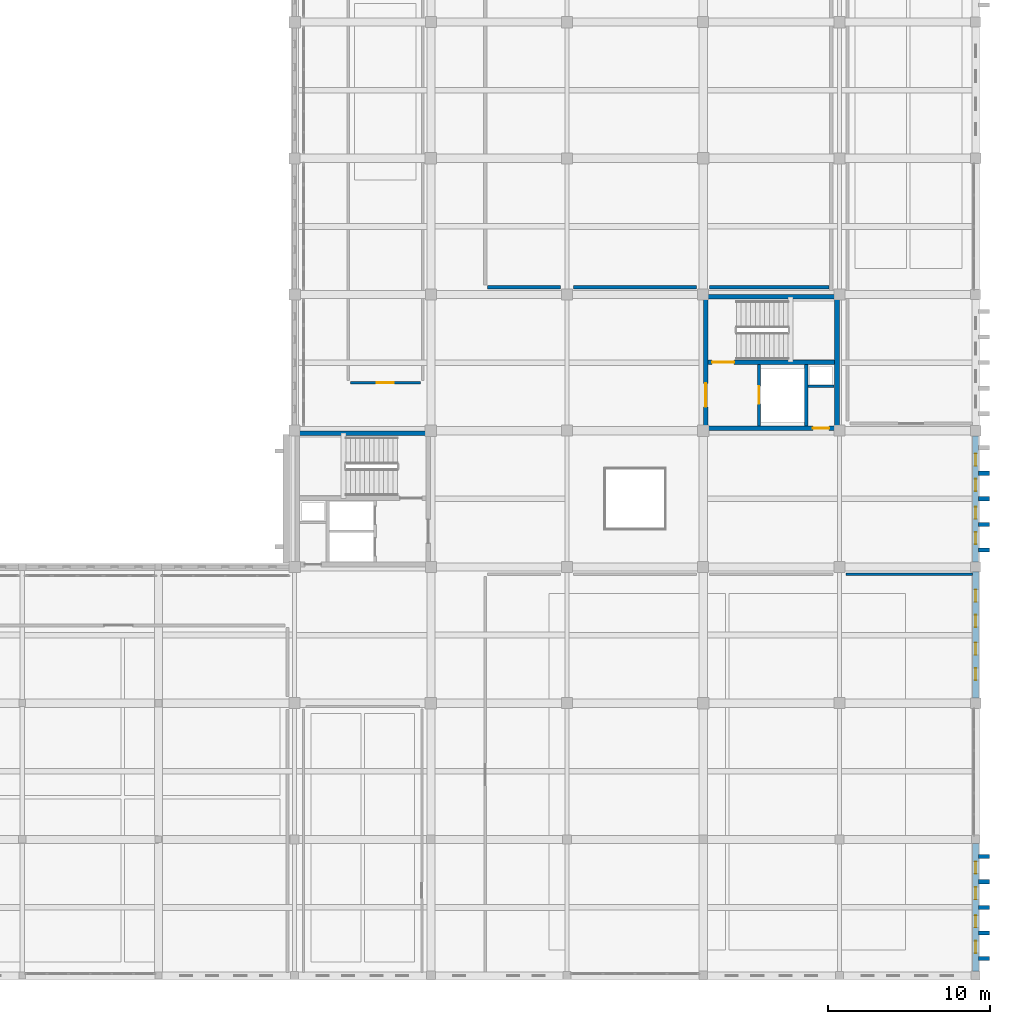
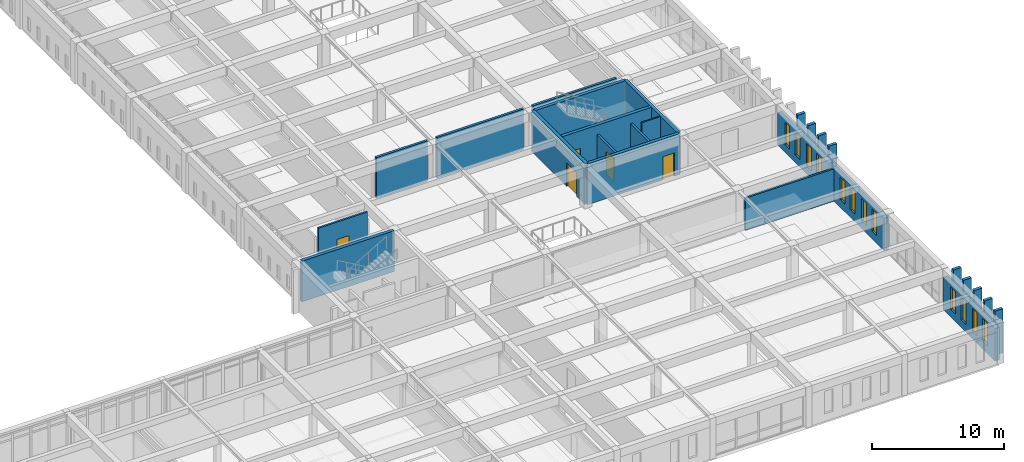
# One storey, part 97 of 110: 26 walls, 12 windows, 5 doors, 17 openings.
"""IFC4 building model written with IfcOpenShell, lengths in metres."""

import ifcopenshell
import ifcopenshell.guid

model = None  # the IFC model being written
_history = None  # IfcOwnerHistory: only IFC2X3 demands one
_inside = {}  # id of a spatial element -> (the spatial element, [elements in it])
_under = {}  # id of a project, library or spatial element -> (it, [spatial elements below it])
_declared = {}  # id of a project -> (the project, [libraries it declares])
_typed = {}  # id of a type object -> (the type object, [elements of that type])
_made_of = {}  # id of a material, layer set ... -> (it, [elements and type objects made of it])


def new_model(schema):
    """Start an empty IFC model of exactly this schema.

    Asked for "IFC4X3", IfcOpenShell would pick the latest addendum, in which some entities
    have other attributes; the version numbers below select the first issue.
    IFC2X3 requires an IfcOwnerHistory on every rooted entity: one is made here for all.
    """
    global model, _history
    if schema == "IFC4X3":
        model = ifcopenshell.file(schema_version=(4, 3, 0, 0))
    else:
        model = ifcopenshell.file(schema=schema)
    _inside.clear()
    _under.clear()
    _declared.clear()
    _typed.clear()
    _made_of.clear()
    _history = None
    if model.schema == "IFC2X3":
        org = make("IfcOrganization", Name="unknown")
        user = make(
            "IfcPersonAndOrganization",
            ThePerson=make("IfcPerson", FamilyName="unknown"),
            TheOrganization=org,
        )
        app = make(
            "IfcApplication",
            ApplicationDeveloper=org,
            Version="unknown",
            ApplicationFullName="unknown",
            ApplicationIdentifier="unknown",
        )
        _history = make(
            "IfcOwnerHistory",
            OwningUser=user,
            OwningApplication=app,
            ChangeAction="ADDED",
            CreationDate=0,
        )
    return model


def make(cls, **values):
    """One entity of the class cls with the attributes given. An attribute that is None is left unset."""
    return model.create_entity(
        cls, **{name: value for name, value in values.items() if value is not None}
    )


def rooted(cls, **values):
    """An entity with a GlobalId (a new one), such as an element, a storey or a relation."""
    return make(cls, GlobalId=ifcopenshell.guid.new(), OwnerHistory=_history, **values)


def si_unit(unit_type, name, prefix=None):
    """IfcSIUnit, for example si_unit("LENGTHUNIT", "METRE", prefix="MILLI")."""
    return make("IfcSIUnit", UnitType=unit_type, Prefix=prefix, Name=name)


def assignment(units):
    """IfcUnitAssignment: the units of a project."""
    return None if units is None else make("IfcUnitAssignment", Units=units)


def point(xyz):
    """IfcCartesianPoint."""
    return None if xyz is None else make("IfcCartesianPoint", Coordinates=xyz)


def direction(xyz):
    """IfcDirection."""
    return None if xyz is None else make("IfcDirection", DirectionRatios=xyz)


def frame(location, z_axis=None, x_axis=None):
    """IfcAxis2Placement3D, a coordinate frame: its origin and axes. An axis left out is left unset."""
    return make(
        "IfcAxis2Placement3D",
        Location=point(location),
        Axis=direction(z_axis),
        RefDirection=direction(x_axis),
    )


def frame_2d(location, x_axis=None):
    """IfcAxis2Placement2D, a coordinate frame in the plane: its origin and x axis."""
    return make(
        "IfcAxis2Placement2D", Location=point(location), RefDirection=direction(x_axis)
    )


def origin():
    """The frame at (0, 0, 0) with its axes left unset."""
    return frame((0.0, 0.0, 0.0))


def place(relative_to, where):
    """IfcLocalPlacement: puts the frame where relative to a parent placement (None: the world)."""
    return make(
        "IfcLocalPlacement", PlacementRelTo=relative_to, RelativePlacement=where
    )


def context(
    kind, dimensions, precision=None, world=None, true_north=None, identifier=None
):
    """IfcGeometricRepresentationContext, for example the 3D "Model" context."""
    return make(
        "IfcGeometricRepresentationContext",
        ContextIdentifier=identifier,
        ContextType=kind,
        CoordinateSpaceDimension=dimensions,
        Precision=precision,
        WorldCoordinateSystem=world,
        TrueNorth=true_north,
    )


def subcontext(parent, identifier, kind, view, scale=None):
    """IfcGeometricRepresentationSubContext, for example "Body" below "Model"."""
    return make(
        "IfcGeometricRepresentationSubContext",
        ContextIdentifier=identifier,
        ContextType=kind,
        ParentContext=parent,
        TargetScale=scale,
        TargetView=view,
    )


def project(units=None, contexts=None):
    """IfcProject with its units and contexts."""
    return rooted(
        "IfcProject",
        Name="project",
        RepresentationContexts=contexts,
        UnitsInContext=assignment(units),
    )


def spatial(cls, under=None, at=None, **own):
    """A site, building, storey or space (cls), placed at a placement, below another one or the project."""
    s = rooted(cls, ObjectPlacement=at, **own)
    if under is not None:
        _under.setdefault(under.id(), (under, []))[1].append(s)
    return s


def profile(cls, at=None, kind="AREA", **sizes):
    """A parametric profile (cls). Its sizes go by their IFC names, for example OverallWidth=200.0."""
    return make(cls, ProfileType=kind, Position=at, **sizes)


def rectangle(**sizes):
    """IfcRectangleProfileDef."""
    return profile("IfcRectangleProfileDef", **sizes)


def extrude(swept, where, along, depth):
    """IfcExtrudedAreaSolid: the profile swept, set in the frame where, extruded along a direction by depth."""
    return make(
        "IfcExtrudedAreaSolid",
        SweptArea=swept,
        Position=where,
        ExtrudedDirection=direction(along),
        Depth=depth,
    )


def shape(context_of_items, identifier, shape_type, items):
    """IfcShapeRepresentation: the items that make up one representation, for example the "Body"."""
    return make(
        "IfcShapeRepresentation",
        ContextOfItems=context_of_items,
        RepresentationIdentifier=identifier,
        RepresentationType=shape_type,
        Items=items,
    )


def material(Name=None, Category=None):
    """IfcMaterial."""
    return make("IfcMaterial", Name=Name, Category=Category)


def layer(
    of_material, thickness, ventilated=None, Name=None, Category=None, Priority=None
):
    """IfcMaterialLayer: one layer of a wall or slab, of a material (None: an air gap)."""
    return make(
        "IfcMaterialLayer",
        Material=of_material,
        LayerThickness=thickness,
        IsVentilated=ventilated,
        Name=Name,
        Category=Category,
        Priority=Priority,
    )


def layer_set(layers, Name=None):
    """IfcMaterialLayerSet."""
    return make("IfcMaterialLayerSet", MaterialLayers=layers, LayerSetName=Name)


def made_of(thing, what):
    """Note that an element or type object is made of a material, layer set ...; save() writes the relation."""
    if what is not None:
        _made_of.setdefault(what.id(), (what, []))[1].append(thing)
    return thing


def type_object(cls, material=None, **own):
    """A type object (cls), such as IfcWallType, which elements share."""
    return made_of(rooted(cls, **own), material)


def element(
    cls,
    number,
    at=None,
    inside=None,
    cuts=None,
    type_object=None,
    material=None,
    context=None,
    identifier="Body",
    shape_type=None,
    held_by="IfcProductDefinitionShape",
    body=None,
    shapes=None,
    **own,
):
    """One element of the class cls, such as IfcWall. Its Tag is "e" and its number.

    at: its placement. inside: the storey or other place that contains it. cuts: it is an
    opening in that element (IfcRelVoidsElement). A single representation is given by context,
    identifier, shape_type and body (its items); several are given by shapes. held_by: the class
    of the entity that holds the representations. save() writes the other relations.
    """
    e = rooted(cls, Tag="e%d" % number, ObjectPlacement=at, **own)
    if body is not None:
        shapes = [shape(context, identifier, shape_type, body)]
    if shapes is not None:
        e.Representation = make(held_by, Representations=shapes)
    if inside is not None:
        _inside.setdefault(inside.id(), (inside, []))[1].append(e)
    if cuts is not None:
        rooted(
            "IfcRelVoidsElement", RelatingBuildingElement=cuts, RelatedOpeningElement=e
        )
    if type_object is not None:
        _typed.setdefault(type_object.id(), (type_object, []))[1].append(e)
    return made_of(e, material)


def fill(opening, filler):
    """IfcRelFillsElement: the door or window that sits in an opening."""
    return rooted(
        "IfcRelFillsElement",
        RelatingOpeningElement=opening,
        RelatedBuildingElement=filler,
    )


def aggregate(whole, parts):
    """IfcRelAggregates: a whole, such as a stair, and the parts it consists of."""
    return rooted("IfcRelAggregates", RelatingObject=whole, RelatedObjects=parts)


def save(model, path):
    """Write the relations noted so far, then the file.

    IfcRelAggregates (storeys below a building ...), IfcRelContainedInSpatialStructure (elements
    in a storey), IfcRelDefinesByType, IfcRelAssociatesMaterial and IfcRelDeclares: one each for
    every whole, place, type object, material and project.
    """
    for whole, parts in _under.values():
        aggregate(whole, parts)
    for where, things in _inside.values():
        rooted(
            "IfcRelContainedInSpatialStructure",
            RelatedElements=things,
            RelatingStructure=where,
        )
    for kind, things in _typed.values():
        rooted("IfcRelDefinesByType", RelatedObjects=things, RelatingType=kind)
    for what, things in _made_of.values():
        rooted("IfcRelAssociatesMaterial", RelatedObjects=things, RelatingMaterial=what)
    for by, libraries in _declared.values():
        rooted("IfcRelDeclares", RelatingContext=by, RelatedDefinitions=libraries)
    model.write(path)


model = new_model("IFC4")

# Units and contexts
model_context = context("Model", 3, precision=1e-05, world=origin(), true_north=direction((0.0, 1.0)))
body_context = subcontext(model_context, "Body", "Model", "MODEL_VIEW")
ifc_project = project(units=[si_unit("LENGTHUNIT", "METRE"), si_unit("AREAUNIT", "SQUARE_METRE"), si_unit("VOLUMEUNIT", "CUBIC_METRE"), si_unit("PLANEANGLEUNIT", "RADIAN"), si_unit("MASSUNIT", "GRAM", prefix="KILO")], contexts=[model_context])

# Site, building, storey
site_placement = place(None, origin())
site = spatial("IfcSite", under=ifc_project, at=site_placement, CompositionType="ELEMENT")
building_placement = place(site_placement, origin())
building = spatial("IfcBuilding", under=site, at=building_placement, Name="Kveldsbrygga Polytechnic", CompositionType="ELEMENT")
storey_placement = place(building_placement, frame((0.0, 0.0, 9.860107421875)))
storey = spatial("IfcBuildingStorey", under=building, at=storey_placement, Name="L02", CompositionType="ELEMENT", Elevation=9.860107421875)

# Wall, openings, windows
ifc_material_1 = material(Name="Fired clay brick masonry M10", Category="masonry")
ifc_layer_1 = layer(ifc_material_1, 0.3798828125)
ifc_layer_set_1 = layer_set([ifc_layer_1], Name="Fired clay brick masonry M10")
wall_type_1 = type_object("IfcWallType", Name="EW-BRICK-380", PredefinedType="SOLIDWALL", material=ifc_layer_set_1)
wall_1_placement = place(storey_placement, frame((168.0, 25.4951171875, 0.0), z_axis=(0.0, 0.0, 1.0), x_axis=(0.0, 1.0, 0.0)))
wall_1 = element("IfcWall", 1, at=wall_1_placement, inside=storey, type_object=wall_type_1, Name="Exterior Brick Wall EW-L02-Y-20-03", PredefinedType="SOLIDWALL", context=body_context, shape_type="SweptSolid", body=[
    extrude(rectangle(XDim=7.794921875, YDim=0.3798828125, at=frame_2d((3.8974609375, 0.0))), origin(), (0.0, 0.0, 1.0), 3.0),
])
opening_1_placement = place(wall_1_placement, frame((1.10595703125, 0.0, 0.699951171875)))
opening_1 = element("IfcOpeningElement", 2, at=opening_1_placement, cuts=wall_1, Name="Opening W-27", PredefinedType="OPENING", context=body_context, shape_type="SweptSolid", body=[
    extrude(rectangle(XDim=0.75, YDim=2.10009765625, at=frame_2d((0.375, 1.050048828125))), frame((0.0, 0.199951171875, 0.0), z_axis=(0.0, -1.0, 0.0), x_axis=(1.0, 0.0, 0.0)), (0.0, 0.0, 1.0), 0.39990234375),
])
opening_2_placement = place(wall_1_placement, frame((2.6650390625, 0.0, 0.699951171875)))
opening_2 = element("IfcOpeningElement", 3, at=opening_2_placement, cuts=wall_1, Name="Opening W-27", PredefinedType="OPENING", context=body_context, shape_type="SweptSolid", body=[
    extrude(rectangle(XDim=0.75, YDim=2.10009765625, at=frame_2d((0.375, 1.050048828125))), frame((0.0, 0.199951171875, 0.0), z_axis=(0.0, -1.0, 0.0), x_axis=(1.0, 0.0, 0.0)), (0.0, 0.0, 1.0), 0.39990234375),
])
opening_3_placement = place(wall_1_placement, frame((4.3798828125, 0.0, 0.699951171875)))
opening_3 = element("IfcOpeningElement", 4, at=opening_3_placement, cuts=wall_1, Name="Opening W-27", PredefinedType="OPENING", context=body_context, shape_type="SweptSolid", body=[
    extrude(rectangle(XDim=0.75, YDim=2.10009765625, at=frame_2d((0.375, 1.050048828125))), frame((0.0, 0.199951171875, 0.0), z_axis=(0.0, -1.0, 0.0), x_axis=(1.0, 0.0, 0.0)), (0.0, 0.0, 1.0), 0.39990234375),
])
opening_4_placement = place(wall_1_placement, frame((5.93896484375, 0.0, 0.699951171875)))
opening_4 = element("IfcOpeningElement", 5, at=opening_4_placement, cuts=wall_1, Name="Opening W-27", PredefinedType="OPENING", context=body_context, shape_type="SweptSolid", body=[
    extrude(rectangle(XDim=0.75, YDim=2.10009765625, at=frame_2d((0.375, 1.050048828125))), frame((0.0, 0.199951171875, 0.0), z_axis=(0.0, -1.0, 0.0), x_axis=(1.0, 0.0, 0.0)), (0.0, 0.0, 1.0), 0.39990234375),
])
ifc_material_2 = material(Name="Insulated triple low-E glass", Category="glass")
window_type = type_object("IfcWindowType", Name="WN-ATTIC-075x210", PartitioningType="DOUBLE_PANEL_VERTICAL", PredefinedType="WINDOW", material=ifc_material_2)
window_1_placement = place(opening_1_placement, origin())
window_1 = element("IfcWindow", 6, at=window_1_placement, inside=storey, type_object=window_type, Name="Gothic Lancet Window WIN-L02-Y-20-03-1", OverallHeight=2.10009765625, OverallWidth=0.75, PartitioningType="DOUBLE_PANEL_VERTICAL", PredefinedType="WINDOW", context=body_context, shape_type="SweptSolid", body=[
    extrude(rectangle(XDim=0.75, YDim=2.10009765625, at=frame_2d((0.375, 1.050048828125))), frame((0.0, 0.030029296875, 0.0), z_axis=(0.0, -1.0, 0.0), x_axis=(1.0, 0.0, 0.0)), (0.0, 0.0, 1.0), 0.06005859375),
])
fill(opening_1, window_1)
window_2_placement = place(opening_2_placement, origin())
window_2 = element("IfcWindow", 7, at=window_2_placement, inside=storey, type_object=window_type, Name="Gothic Lancet Window WIN-L02-Y-20-03-2", OverallHeight=2.10009765625, OverallWidth=0.75, PartitioningType="DOUBLE_PANEL_VERTICAL", PredefinedType="WINDOW", context=body_context, shape_type="SweptSolid", body=[
    extrude(rectangle(XDim=0.75, YDim=2.10009765625, at=frame_2d((0.375, 1.050048828125))), frame((0.0, 0.030029296875, 0.0), z_axis=(0.0, -1.0, 0.0), x_axis=(1.0, 0.0, 0.0)), (0.0, 0.0, 1.0), 0.06005859375),
])
fill(opening_2, window_2)
window_3_placement = place(opening_3_placement, origin())
window_3 = element("IfcWindow", 8, at=window_3_placement, inside=storey, type_object=window_type, Name="Gothic Lancet Window WIN-L02-Y-20-03-3", OverallHeight=2.10009765625, OverallWidth=0.75, PartitioningType="DOUBLE_PANEL_VERTICAL", PredefinedType="WINDOW", context=body_context, shape_type="SweptSolid", body=[
    extrude(rectangle(XDim=0.75, YDim=2.10009765625, at=frame_2d((0.375, 1.050048828125))), frame((0.0, 0.030029296875, 0.0), z_axis=(0.0, -1.0, 0.0), x_axis=(1.0, 0.0, 0.0)), (0.0, 0.0, 1.0), 0.06005859375),
])
fill(opening_3, window_3)
window_4_placement = place(opening_4_placement, origin())
window_4 = element("IfcWindow", 9, at=window_4_placement, inside=storey, type_object=window_type, Name="Gothic Lancet Window WIN-L02-Y-20-03-4", OverallHeight=2.10009765625, OverallWidth=0.75, PartitioningType="DOUBLE_PANEL_VERTICAL", PredefinedType="WINDOW", context=body_context, shape_type="SweptSolid", body=[
    extrude(rectangle(XDim=0.75, YDim=2.10009765625, at=frame_2d((0.375, 1.050048828125))), frame((0.0, 0.030029296875, 0.0), z_axis=(0.0, -1.0, 0.0), x_axis=(1.0, 0.0, 0.0)), (0.0, 0.0, 1.0), 0.06005859375),
])
fill(opening_4, window_4)

ifc_layer_2 = layer(ifc_material_1, 0.39990234375)
ifc_layer_set_2 = layer_set([ifc_layer_2], Name="Fired clay brick masonry M10")
wall_type_2 = type_object("IfcWallType", Name="EW-BRICK-400", PredefinedType="SOLIDWALL", material=ifc_layer_set_2)
wall_2_placement = place(storey_placement, frame((168.0, 0.260009765625, 0.0), z_axis=(0.0, 0.0, 1.0), x_axis=(0.0, 1.0, 0.0)))
wall_2 = element("IfcWall", 10, at=wall_2_placement, inside=storey, type_object=wall_type_2, Name="Exterior Brick Wall EW-L02-Y-20-00", PredefinedType="SOLIDWALL", context=body_context, shape_type="SweptSolid", body=[
    extrude(rectangle(XDim=7.89501953125, YDim=0.39990234375, at=frame_2d((3.947509765625, 0.0))), origin(), (0.0, 0.0, 1.0), 3.0),
])
opening_5_placement = place(wall_2_placement, frame((1.125, 0.0, 0.699951171875)))
opening_5 = element("IfcOpeningElement", 11, at=opening_5_placement, cuts=wall_2, Name="Opening W-27", PredefinedType="OPENING", context=body_context, shape_type="SweptSolid", body=[
    extrude(rectangle(XDim=0.75, YDim=2.10009765625, at=frame_2d((0.375, 1.050048828125))), frame((0.0, 0.2099609375, 0.0), z_axis=(0.0, -1.0, 0.0), x_axis=(1.0, 0.0, 0.0)), (0.0, 0.0, 1.0), 0.419921875),
])
opening_6_placement = place(wall_2_placement, frame((2.7041015625, 0.0, 0.699951171875)))
opening_6 = element("IfcOpeningElement", 12, at=opening_6_placement, cuts=wall_2, Name="Opening W-27", PredefinedType="OPENING", context=body_context, shape_type="SweptSolid", body=[
    extrude(rectangle(XDim=0.75, YDim=2.10009765625, at=frame_2d((0.375, 1.050048828125))), frame((0.0, 0.2099609375, 0.0), z_axis=(0.0, -1.0, 0.0), x_axis=(1.0, 0.0, 0.0)), (0.0, 0.0, 1.0), 0.419921875),
])
opening_7_placement = place(wall_2_placement, frame((4.44091796875, 0.0, 0.699951171875)))
opening_7 = element("IfcOpeningElement", 13, at=opening_7_placement, cuts=wall_2, Name="Opening W-27", PredefinedType="OPENING", context=body_context, shape_type="SweptSolid", body=[
    extrude(rectangle(XDim=0.75, YDim=2.10009765625, at=frame_2d((0.375, 1.050048828125))), frame((0.0, 0.2099609375, 0.0), z_axis=(0.0, -1.0, 0.0), x_axis=(1.0, 0.0, 0.0)), (0.0, 0.0, 1.0), 0.419921875),
])
opening_8_placement = place(wall_2_placement, frame((6.02001953125, 0.0, 0.699951171875)))
opening_8 = element("IfcOpeningElement", 14, at=opening_8_placement, cuts=wall_2, Name="Opening W-27", PredefinedType="OPENING", context=body_context, shape_type="SweptSolid", body=[
    extrude(rectangle(XDim=0.75, YDim=2.10009765625, at=frame_2d((0.375, 1.050048828125))), frame((0.0, 0.2099609375, 0.0), z_axis=(0.0, -1.0, 0.0), x_axis=(1.0, 0.0, 0.0)), (0.0, 0.0, 1.0), 0.419921875),
])
window_5_placement = place(opening_5_placement, origin())
window_5 = element("IfcWindow", 15, at=window_5_placement, inside=storey, type_object=window_type, Name="Gothic Lancet Window WIN-L02-Y-20-00-1", OverallHeight=2.10009765625, OverallWidth=0.75, PartitioningType="DOUBLE_PANEL_VERTICAL", PredefinedType="WINDOW", context=body_context, shape_type="SweptSolid", body=[
    extrude(rectangle(XDim=0.75, YDim=2.10009765625, at=frame_2d((0.375, 1.050048828125))), frame((0.0, 0.030029296875, 0.0), z_axis=(0.0, -1.0, 0.0), x_axis=(1.0, 0.0, 0.0)), (0.0, 0.0, 1.0), 0.06005859375),
])
fill(opening_5, window_5)
window_6_placement = place(opening_6_placement, origin())
window_6 = element("IfcWindow", 16, at=window_6_placement, inside=storey, type_object=window_type, Name="Gothic Lancet Window WIN-L02-Y-20-00-2", OverallHeight=2.10009765625, OverallWidth=0.75, PartitioningType="DOUBLE_PANEL_VERTICAL", PredefinedType="WINDOW", context=body_context, shape_type="SweptSolid", body=[
    extrude(rectangle(XDim=0.75, YDim=2.10009765625, at=frame_2d((0.375, 1.050048828125))), frame((0.0, 0.030029296875, 0.0), z_axis=(0.0, -1.0, 0.0), x_axis=(1.0, 0.0, 0.0)), (0.0, 0.0, 1.0), 0.06005859375),
])
fill(opening_6, window_6)
window_7_placement = place(opening_7_placement, origin())
window_7 = element("IfcWindow", 17, at=window_7_placement, inside=storey, type_object=window_type, Name="Gothic Lancet Window WIN-L02-Y-20-00-3", OverallHeight=2.10009765625, OverallWidth=0.75, PartitioningType="DOUBLE_PANEL_VERTICAL", PredefinedType="WINDOW", context=body_context, shape_type="SweptSolid", body=[
    extrude(rectangle(XDim=0.75, YDim=2.10009765625, at=frame_2d((0.375, 1.050048828125))), frame((0.0, 0.030029296875, 0.0), z_axis=(0.0, -1.0, 0.0), x_axis=(1.0, 0.0, 0.0)), (0.0, 0.0, 1.0), 0.06005859375),
])
fill(opening_7, window_7)
window_8_placement = place(opening_8_placement, origin())
window_8 = element("IfcWindow", 18, at=window_8_placement, inside=storey, type_object=window_type, Name="Gothic Lancet Window WIN-L02-Y-20-00-4", OverallHeight=2.10009765625, OverallWidth=0.75, PartitioningType="DOUBLE_PANEL_VERTICAL", PredefinedType="WINDOW", context=body_context, shape_type="SweptSolid", body=[
    extrude(rectangle(XDim=0.75, YDim=2.10009765625, at=frame_2d((0.375, 1.050048828125))), frame((0.0, 0.030029296875, 0.0), z_axis=(0.0, -1.0, 0.0), x_axis=(1.0, 0.0, 0.0)), (0.0, 0.0, 1.0), 0.06005859375),
])
fill(opening_8, window_8)

wall_3_placement = place(storey_placement, frame((168.0, 17.110107421875, 0.0), z_axis=(0.0, 0.0, 1.0), x_axis=(0.0, 1.0, 0.0)))
wall_3 = element("IfcWall", 19, at=wall_3_placement, inside=storey, type_object=wall_type_2, Name="Exterior Brick Wall EW-L02-Y-20-02", PredefinedType="SOLIDWALL", context=body_context, shape_type="SweptSolid", body=[
    extrude(rectangle(XDim=7.794921875, YDim=0.39990234375, at=frame_2d((3.8974609375, 0.0))), origin(), (0.0, 0.0, 1.0), 3.0),
])
opening_9_placement = place(wall_3_placement, frame((1.10595703125, 0.0, 0.699951171875)))
opening_9 = element("IfcOpeningElement", 20, at=opening_9_placement, cuts=wall_3, Name="Opening W-27", PredefinedType="OPENING", context=body_context, shape_type="SweptSolid", body=[
    extrude(rectangle(XDim=0.75, YDim=2.10009765625, at=frame_2d((0.375, 1.050048828125))), frame((0.0, 0.2099609375, 0.0), z_axis=(0.0, -1.0, 0.0), x_axis=(1.0, 0.0, 0.0)), (0.0, 0.0, 1.0), 0.419921875),
])
opening_10_placement = place(wall_3_placement, frame((2.6650390625, 0.0, 0.699951171875)))
opening_10 = element("IfcOpeningElement", 21, at=opening_10_placement, cuts=wall_3, Name="Opening W-27", PredefinedType="OPENING", context=body_context, shape_type="SweptSolid", body=[
    extrude(rectangle(XDim=0.75, YDim=2.10009765625, at=frame_2d((0.375, 1.050048828125))), frame((0.0, 0.2099609375, 0.0), z_axis=(0.0, -1.0, 0.0), x_axis=(1.0, 0.0, 0.0)), (0.0, 0.0, 1.0), 0.419921875),
])
opening_11_placement = place(wall_3_placement, frame((4.3798828125, 0.0, 0.699951171875)))
opening_11 = element("IfcOpeningElement", 22, at=opening_11_placement, cuts=wall_3, Name="Opening W-27", PredefinedType="OPENING", context=body_context, shape_type="SweptSolid", body=[
    extrude(rectangle(XDim=0.75, YDim=2.10009765625, at=frame_2d((0.375, 1.050048828125))), frame((0.0, 0.2099609375, 0.0), z_axis=(0.0, -1.0, 0.0), x_axis=(1.0, 0.0, 0.0)), (0.0, 0.0, 1.0), 0.419921875),
])
opening_12_placement = place(wall_3_placement, frame((5.93896484375, 0.0, 0.699951171875)))
opening_12 = element("IfcOpeningElement", 23, at=opening_12_placement, cuts=wall_3, Name="Opening W-27", PredefinedType="OPENING", context=body_context, shape_type="SweptSolid", body=[
    extrude(rectangle(XDim=0.75, YDim=2.10009765625, at=frame_2d((0.375, 1.050048828125))), frame((0.0, 0.2099609375, 0.0), z_axis=(0.0, -1.0, 0.0), x_axis=(1.0, 0.0, 0.0)), (0.0, 0.0, 1.0), 0.419921875),
])
window_9_placement = place(opening_9_placement, origin())
window_9 = element("IfcWindow", 24, at=window_9_placement, inside=storey, type_object=window_type, Name="Gothic Lancet Window WIN-L02-Y-20-02-1", OverallHeight=2.10009765625, OverallWidth=0.75, PartitioningType="DOUBLE_PANEL_VERTICAL", PredefinedType="WINDOW", context=body_context, shape_type="SweptSolid", body=[
    extrude(rectangle(XDim=0.75, YDim=2.10009765625, at=frame_2d((0.375, 1.050048828125))), frame((0.0, 0.030029296875, 0.0), z_axis=(0.0, -1.0, 0.0), x_axis=(1.0, 0.0, 0.0)), (0.0, 0.0, 1.0), 0.06005859375),
])
fill(opening_9, window_9)
window_10_placement = place(opening_10_placement, origin())
window_10 = element("IfcWindow", 25, at=window_10_placement, inside=storey, type_object=window_type, Name="Gothic Lancet Window WIN-L02-Y-20-02-2", OverallHeight=2.10009765625, OverallWidth=0.75, PartitioningType="DOUBLE_PANEL_VERTICAL", PredefinedType="WINDOW", context=body_context, shape_type="SweptSolid", body=[
    extrude(rectangle(XDim=0.75, YDim=2.10009765625, at=frame_2d((0.375, 1.050048828125))), frame((0.0, 0.030029296875, 0.0), z_axis=(0.0, -1.0, 0.0), x_axis=(1.0, 0.0, 0.0)), (0.0, 0.0, 1.0), 0.06005859375),
])
fill(opening_10, window_10)
window_11_placement = place(opening_11_placement, origin())
window_11 = element("IfcWindow", 26, at=window_11_placement, inside=storey, type_object=window_type, Name="Gothic Lancet Window WIN-L02-Y-20-02-3", OverallHeight=2.10009765625, OverallWidth=0.75, PartitioningType="DOUBLE_PANEL_VERTICAL", PredefinedType="WINDOW", context=body_context, shape_type="SweptSolid", body=[
    extrude(rectangle(XDim=0.75, YDim=2.10009765625, at=frame_2d((0.375, 1.050048828125))), frame((0.0, 0.030029296875, 0.0), z_axis=(0.0, -1.0, 0.0), x_axis=(1.0, 0.0, 0.0)), (0.0, 0.0, 1.0), 0.06005859375),
])
fill(opening_11, window_11)
window_12_placement = place(opening_12_placement, origin())
window_12 = element("IfcWindow", 27, at=window_12_placement, inside=storey, type_object=window_type, Name="Gothic Lancet Window WIN-L02-Y-20-02-4", OverallHeight=2.10009765625, OverallWidth=0.75, PartitioningType="DOUBLE_PANEL_VERTICAL", PredefinedType="WINDOW", context=body_context, shape_type="SweptSolid", body=[
    extrude(rectangle(XDim=0.75, YDim=2.10009765625, at=frame_2d((0.375, 1.050048828125))), frame((0.0, 0.030029296875, 0.0), z_axis=(0.0, -1.0, 0.0), x_axis=(1.0, 0.0, 0.0)), (0.0, 0.0, 1.0), 0.06005859375),
])
fill(opening_12, window_12)

# Walls
ifc_layer_3 = layer(ifc_material_1, 0.260009765625)
ifc_layer_set_3 = layer_set([ifc_layer_3], Name="Fired clay brick masonry M10")
wall_type_3 = type_object("IfcWallType", Name="EW-BUTT-260", PredefinedType="SOLIDWALL", material=ifc_layer_set_3)
for number, where, z_axis, x_axis, name in (
    (28, (168.1650390625, 1.050048828125, 0.0), (0.0, 0.0, 1.0), (1.0, 0.0, 0.0), "Gothic Brick Buttress Pier BUTT-L02-Y-20-00-1"),
    (29, (168.1650390625, 2.6201171875, 0.0), (0.0, 0.0, 1.0), (1.0, 0.0, 0.0), "Gothic Brick Buttress Pier BUTT-L02-Y-20-00-2"),
    (30, (168.1650390625, 4.199951171875, 0.0), (0.0, 0.0, 1.0), (1.0, 0.0, 0.0), "Gothic Brick Buttress Pier BUTT-L02-Y-20-00-3"),
    (31, (168.1650390625, 5.780029296875, 0.0), (0.0, 0.0, 1.0), (1.0, 0.0, 0.0), "Gothic Brick Buttress Pier BUTT-L02-Y-20-00-4"),
    (32, (168.1650390625, 7.35009765625, 0.0), (0.0, 0.0, 1.0), (1.0, 0.0, 0.0), "Gothic Brick Buttress Pier BUTT-L02-Y-20-00-5"),
    (33, (168.1650390625, 26.25, 0.0), (0.0, 0.0, 1.0), (1.0, 0.0, 0.0), "Gothic Brick Buttress Pier BUTT-L02-Y-20-03-1"),
    (34, (168.1650390625, 27.820068359375, 0.0), (0.0, 0.0, 1.0), (1.0, 0.0, 0.0), "Gothic Brick Buttress Pier BUTT-L02-Y-20-03-2"),
    (35, (168.1650390625, 29.39990234375, 0.0), (0.0, 0.0, 1.0), (1.0, 0.0, 0.0), "Gothic Brick Buttress Pier BUTT-L02-Y-20-03-3"),
    (36, (168.1650390625, 30.97998046875, 0.0), (0.0, 0.0, 1.0), (1.0, 0.0, 0.0), "Gothic Brick Buttress Pier BUTT-L02-Y-20-03-4"),
):
    element("IfcWall", number, at=place(storey_placement, frame(where, z_axis=z_axis, x_axis=x_axis)), inside=storey, type_object=wall_type_3, Name=name, PredefinedType="SOLIDWALL", context=body_context, shape_type="SweptSolid", body=[
        extrude(rectangle(XDim=0.699951171875, YDim=0.260009765625, at=frame_2d((0.35009765625, 0.0))), origin(), (0.0, 0.0, 1.0), 4.079833984375),
    ])
ifc_layer_4 = layer(ifc_material_1, 0.199951171875)
ifc_layer_set_4 = layer_set([ifc_layer_4], Name="Fired clay brick masonry M10")
wall_type_4 = type_object("IfcWallType", Name="IW-LAB-200", PredefinedType="PARTITIONING", material=ifc_layer_set_4)
wall_4_placement = place(storey_placement, frame((137.89990234375, 42.449951171875, 0.0), z_axis=(0.0, 0.0, 1.0), x_axis=(1.0, 0.0, 0.0)))
element("IfcWall", 37, at=wall_4_placement, inside=storey, type_object=wall_type_4, Name="Partition Wall IW-SP-L02-LAB21A-S1", PredefinedType="PARTITIONING", context=body_context, shape_type="SweptSolid", body=[
    extrude(rectangle(XDim=4.489990234375, YDim=0.199951171875, at=frame_2d((2.2451171875, 0.0))), origin(), (0.0, 0.0, 1.0), 3.77978515625),
])
wall_5_placement = place(storey_placement, frame((143.2099609375, 42.449951171875, 0.0), z_axis=(0.0, 0.0, 1.0), x_axis=(1.0, 0.0, 0.0)))
element("IfcWall", 38, at=wall_5_placement, inside=storey, type_object=wall_type_4, Name="Partition Wall IW-SP-L02-LAB21A-S2", PredefinedType="PARTITIONING", context=body_context, shape_type="SweptSolid", body=[
    extrude(rectangle(XDim=7.590087890625, YDim=0.199951171875, at=frame_2d((3.794921875, 0.0))), origin(), (0.0, 0.0, 1.0), 3.77978515625),
])
wall_6_placement = place(storey_placement, frame((151.60009765625, 42.449951171875, 0.0), z_axis=(0.0, 0.0, 1.0), x_axis=(1.0, 0.0, 0.0)))
element("IfcWall", 39, at=wall_6_placement, inside=storey, type_object=wall_type_4, Name="Partition Wall IW-SP-L02-LAB21A-S3", PredefinedType="PARTITIONING", context=body_context, shape_type="SweptSolid", body=[
    extrude(rectangle(XDim=7.349853515625, YDim=0.199951171875, at=frame_2d((3.6748046875, 0.0))), origin(), (0.0, 0.0, 1.0), 3.77978515625),
])
ifc_material_3 = material(Name="Moisture-resistant masonry M10", Category="masonry")
ifc_layer_5 = layer(ifc_material_3, 0.1298828125)
ifc_layer_set_5 = layer_set([ifc_layer_5], Name="Moisture-resistant masonry M10")
wall_type_5 = type_object("IfcWallType", Name="IW-SAN-130", PredefinedType="PARTITIONING", material=ifc_layer_set_5)
wall_7_placement = place(storey_placement, frame((157.659912109375, 36.340087890625, 0.0), z_axis=(0.0, 0.0, 1.0), x_axis=(1.0, 0.0, 0.0)))
element("IfcWall", 40, at=wall_7_placement, inside=storey, type_object=wall_type_5, Name="Core AWC Divider C3-L02-W-RSR", PredefinedType="PARTITIONING", context=body_context, shape_type="SweptSolid", body=[
    extrude(rectangle(XDim=1.6201171875, YDim=0.1298828125, at=frame_2d((0.81005859375, 0.0))), origin(), (0.0, 0.0, 1.0), 3.77978515625),
])

# Wall, opening, door
ifc_material_4 = material(Name="Gypsum acoustic stud partition")
ifc_layer_6 = layer(ifc_material_4, 0.14990234375)
ifc_layer_set_6 = layer_set([ifc_layer_6], Name="Gypsum acoustic stud partition")
wall_type_6 = type_object("IfcWallType", Name="IW-SEM-150", PredefinedType="PARTITIONING", material=ifc_layer_set_6)
wall_8_placement = place(storey_placement, frame((129.449951171875, 36.550048828125, 0.0), z_axis=(0.0, 0.0, 1.0), x_axis=(1.0, 0.0, 0.0)))
wall_8 = element("IfcWall", 41, at=wall_8_placement, inside=storey, type_object=wall_type_6, Name="Partition Wall IW-SP-L02-SEM22-S1", PredefinedType="PARTITIONING", context=body_context, shape_type="SweptSolid", body=[
    extrude(rectangle(XDim=4.300048828125, YDim=0.14990234375, at=frame_2d((2.14990234375, 0.0))), origin(), (0.0, 0.0, 1.0), 3.77978515625),
])
opening_13_placement = place(wall_8_placement, frame((1.625, 0.0, 0.0)))
opening_13 = element("IfcOpeningElement", 42, at=opening_13_placement, cuts=wall_8, Name="Opening ID-L02-068", PredefinedType="OPENING", context=body_context, shape_type="SweptSolid", body=[
    extrude(rectangle(XDim=1.050048828125, YDim=2.14990234375, at=frame_2d((0.52490234375, 1.074951171875))), frame((0.0, 0.0849609375, 0.0), z_axis=(0.0, -1.0, 0.0), x_axis=(1.0, 0.0, 0.0)), (0.0, 0.0, 1.0), 0.169921875),
])
ifc_material_5 = material(Name="Acoustic oak timber", Category="wood")
door_type_1 = type_object("IfcDoorType", Name="ID-SEM-105x215", OperationType="NOTDEFINED", PredefinedType="DOOR", material=ifc_material_5)
door_1_placement = place(opening_13_placement, origin())
door_1 = element("IfcDoor", 43, at=door_1_placement, inside=storey, type_object=door_type_1, Name="Interior Door ID-L02-068", OperationType="SINGLE_SWING_LEFT", OverallHeight=2.14990234375, OverallWidth=1.050048828125, PredefinedType="DOOR", context=body_context, shape_type="SweptSolid", body=[
    extrude(rectangle(XDim=1.050048828125, YDim=2.14990234375, at=frame_2d((0.52490234375, 1.074951171875))), frame((0.0, 0.02490234375, 0.0), z_axis=(0.0, -1.0, 0.0), x_axis=(1.0, 0.0, 0.0)), (0.0, 0.0, 1.0), 0.050048828125),
])
fill(opening_13, door_1)

# Walls
ifc_layer_7 = layer(ifc_material_4, 0.159912109375)
ifc_layer_set_7 = layer_set([ifc_layer_7], Name="Gypsum acoustic stud partition")
wall_type_7 = type_object("IfcWallType", Name="IW-STD-160", PredefinedType="PARTITIONING", material=ifc_layer_set_7)
wall_9_placement = place(storey_placement, frame((160.010009765625, 24.75, 0.0), z_axis=(0.0, 0.0, 1.0), x_axis=(1.0, 0.0, 0.0)))
element("IfcWall", 44, at=wall_9_placement, inside=storey, type_object=wall_type_7, Name="Partition Wall IW-SP-L02-STD22-N4", PredefinedType="PARTITIONING", context=body_context, shape_type="SweptSolid", body=[
    extrude(rectangle(XDim=7.81005859375, YDim=0.159912109375, at=frame_2d((3.905029296875, 0.0))), origin(), (0.0, 0.0, 1.0), 3.0),
])
ifc_material_6 = material(Name="Concrete C45/55", Category="concrete")
ifc_layer_8 = layer(ifc_material_6, 0.280029296875)
ifc_layer_set_8 = layer_set([ifc_layer_8], Name="Concrete C45/55")
wall_type_8 = type_object("IfcWallType", Name="WL-CORE-280", PredefinedType="SHEAR", material=ifc_layer_set_8)
wall_10_placement = place(storey_placement, frame((126.14990234375, 33.449951171875, 0.0), z_axis=(0.0, 0.0, 1.0), x_axis=(1.0, 0.0, 0.0)))
element("IfcWall", 45, at=wall_10_placement, inside=storey, type_object=wall_type_8, Name="Core C1 Shear Wall C1-L02-SW-N", PredefinedType="SHEAR", context=body_context, shape_type="SweptSolid", body=[
    extrude(rectangle(XDim=8.10009765625, YDim=0.280029296875, at=frame_2d((4.050048828125, 0.0))), origin(), (0.0, 0.0, 1.0), 3.77978515625),
])

# Wall, opening, door
wall_11_placement = place(storey_placement, frame((151.35009765625, 33.75, 0.0), z_axis=(0.0, 0.0, 1.0), x_axis=(1.0, 0.0, 0.0)))
wall_11 = element("IfcWall", 46, at=wall_11_placement, inside=storey, type_object=wall_type_8, Name="Core C3 Shear Wall C3-L02-SW-S", PredefinedType="SHEAR", context=body_context, shape_type="SweptSolid", body=[
    extrude(rectangle(XDim=8.099853515625, YDim=0.280029296875, at=frame_2d((4.0498046875, 0.0))), origin(), (0.0, 0.0, 1.0), 3.77978515625),
])
opening_14_placement = place(wall_11_placement, frame((6.614990234375, 0.0, 0.0)))
opening_14 = element("IfcOpeningElement", 47, at=opening_14_placement, cuts=wall_11, Name="Opening ID-C3-L02-AWC", PredefinedType="OPENING", context=body_context, shape_type="SweptSolid", body=[
    extrude(rectangle(XDim=1.0, YDim=2.14990234375, at=frame_2d((0.5, 1.074951171875))), frame((0.0, 0.14990234375, 0.0), z_axis=(0.0, -1.0, 0.0), x_axis=(1.0, 0.0, 0.0)), (0.0, 0.0, 1.0), 0.300048828125),
])
door_type_2 = type_object("IfcDoorType", Name="ID-AWC-100x215", OperationType="NOTDEFINED", PredefinedType="DOOR", material=ifc_material_5)
door_2_placement = place(opening_14_placement, origin())
door_2 = element("IfcDoor", 48, at=door_2_placement, inside=storey, type_object=door_type_2, Name="Accessible WC Door ID-C3-L02-AWC", OperationType="SINGLE_SWING_RIGHT", OverallHeight=2.14990234375, OverallWidth=1.0, PredefinedType="DOOR", context=body_context, shape_type="SweptSolid", body=[
    extrude(rectangle(XDim=1.0, YDim=2.14990234375, at=frame_2d((0.5, 1.074951171875))), frame((0.0, 0.02490234375, 0.0), z_axis=(0.0, -1.0, 0.0), x_axis=(1.0, 0.0, 0.0)), (0.0, 0.0, 1.0), 0.050048828125),
])
fill(opening_14, door_2)

# Wall
wall_12_placement = place(storey_placement, frame((151.35009765625, 41.85009765625, 0.0), z_axis=(0.0, 0.0, 1.0), x_axis=(1.0, 0.0, 0.0)))
element("IfcWall", 49, at=wall_12_placement, inside=storey, type_object=wall_type_8, Name="Core C3 Shear Wall C3-L02-SW-N", PredefinedType="SHEAR", context=body_context, shape_type="SweptSolid", body=[
    extrude(rectangle(XDim=8.099853515625, YDim=0.280029296875, at=frame_2d((4.0498046875, 0.0))), origin(), (0.0, 0.0, 1.0), 3.77978515625),
])

# Wall, opening, door
wall_13_placement = place(storey_placement, frame((151.35009765625, 33.75, 0.0), z_axis=(0.0, 0.0, 1.0), x_axis=(0.0, 1.0, 0.0)))
wall_13 = element("IfcWall", 50, at=wall_13_placement, inside=storey, type_object=wall_type_8, Name="Core C3 Shear Wall C3-L02-SW-W", PredefinedType="SHEAR", context=body_context, shape_type="SweptSolid", body=[
    extrude(rectangle(XDim=8.10009765625, YDim=0.280029296875, at=frame_2d((4.050048828125, 0.0))), origin(), (0.0, 0.0, 1.0), 3.77978515625),
])
opening_15_placement = place(wall_13_placement, frame((1.324951171875, 0.0, 0.0)))
opening_15 = element("IfcOpeningElement", 51, at=opening_15_placement, cuts=wall_13, Name="Opening FD-C3-L02-LOB", PredefinedType="OPENING", context=body_context, shape_type="SweptSolid", body=[
    extrude(rectangle(XDim=1.449951171875, YDim=2.14990234375, at=frame_2d((0.72509765625, 1.074951171875))), frame((0.0, 0.14990234375, 0.0), z_axis=(0.0, -1.0, 0.0), x_axis=(1.0, 0.0, 0.0)), (0.0, 0.0, 1.0), 0.300048828125),
])
ifc_material_7 = material(Name="Powder-coated galvanised steel", Category="steel")
door_type_3 = type_object("IfcDoorType", Name="ID-LOBBY-145x215", OperationType="DOUBLE_DOOR_SINGLE_SWING", PredefinedType="DOOR", material=ifc_material_7)
door_3_placement = place(opening_15_placement, origin())
door_3 = element("IfcDoor", 52, at=door_3_placement, inside=storey, type_object=door_type_3, Name="Core Lobby Fire Door FD-C3-L02-LOB", OperationType="DOUBLE_DOOR_SINGLE_SWING", OverallHeight=2.14990234375, OverallWidth=1.449951171875, PredefinedType="DOOR", context=body_context, shape_type="SweptSolid", body=[
    extrude(rectangle(XDim=1.449951171875, YDim=2.14990234375, at=frame_2d((0.72509765625, 1.074951171875))), frame((0.0, 0.02490234375, 0.0), z_axis=(0.0, -1.0, 0.0), x_axis=(1.0, 0.0, 0.0)), (0.0, 0.0, 1.0), 0.050048828125),
])
fill(opening_15, door_3)

# Wall
wall_14_placement = place(storey_placement, frame((159.449951171875, 33.75, 0.0), z_axis=(0.0, 0.0, 1.0), x_axis=(0.0, 1.0, 0.0)))
element("IfcWall", 53, at=wall_14_placement, inside=storey, type_object=wall_type_8, Name="Core C3 Shear Wall C3-L02-SW-E", PredefinedType="SHEAR", context=body_context, shape_type="SweptSolid", body=[
    extrude(rectangle(XDim=8.10009765625, YDim=0.280029296875, at=frame_2d((4.050048828125, 0.0))), origin(), (0.0, 0.0, 1.0), 3.77978515625),
])

# Wall, opening, door
wall_15_placement = place(storey_placement, frame((151.5, 37.830078125, 0.0), z_axis=(0.0, 0.0, 1.0), x_axis=(1.0, 0.0, 0.0)))
wall_15 = element("IfcWall", 54, at=wall_15_placement, inside=storey, type_object=wall_type_8, Name="Core C3 Shear Wall C3-L02-W-DIV", PredefinedType="SHEAR", context=body_context, shape_type="SweptSolid", body=[
    extrude(rectangle(XDim=7.800048828125, YDim=0.280029296875, at=frame_2d((3.89990234375, 0.0))), origin(), (0.0, 0.0, 1.0), 3.77978515625),
])
opening_16_placement = place(wall_15_placement, frame((0.25, 0.0, 0.0)))
opening_16 = element("IfcOpeningElement", 55, at=opening_16_placement, cuts=wall_15, Name="Opening FD-C3-L02-ST", PredefinedType="OPENING", context=body_context, shape_type="SweptSolid", body=[
    extrude(rectangle(XDim=1.35009765625, YDim=2.14990234375, at=frame_2d((0.675048828125, 1.074951171875))), frame((0.0, 0.14990234375, 0.0), z_axis=(0.0, -1.0, 0.0), x_axis=(1.0, 0.0, 0.0)), (0.0, 0.0, 1.0), 0.300048828125),
])
door_type_4 = type_object("IfcDoorType", Name="ID-STAIR-135x215", OperationType="NOTDEFINED", PredefinedType="DOOR", material=ifc_material_7)
door_4_placement = place(opening_16_placement, origin())
door_4 = element("IfcDoor", 56, at=door_4_placement, inside=storey, type_object=door_type_4, Name="Stair Fire Door FD-C3-L02-ST", OperationType="SINGLE_SWING_LEFT", OverallHeight=2.14990234375, OverallWidth=1.35009765625, PredefinedType="DOOR", context=body_context, shape_type="SweptSolid", body=[
    extrude(rectangle(XDim=1.35009765625, YDim=2.14990234375, at=frame_2d((0.675048828125, 1.074951171875))), frame((0.0, 0.02490234375, 0.0), z_axis=(0.0, -1.0, 0.0), x_axis=(1.0, 0.0, 0.0)), (0.0, 0.0, 1.0), 0.050048828125),
])
fill(opening_16, door_4)

ifc_material_8 = material(Name="Concrete C35/45", Category="concrete")
ifc_layer_9 = layer(ifc_material_8, 0.199951171875)
ifc_layer_set_9 = layer_set([ifc_layer_9], Name="Concrete C35/45")
wall_type_9 = type_object("IfcWallType", Name="WL-SHFT-200", PredefinedType="SHEAR", material=ifc_layer_set_9)
wall_16_placement = place(storey_placement, frame((154.639892578125, 33.89990234375, 0.0), z_axis=(0.0, 0.0, 1.0), x_axis=(0.0, 1.0, 0.0)))
wall_16 = element("IfcWall", 57, at=wall_16_placement, inside=storey, type_object=wall_type_9, Name="Lift Front Wall C3-L02-W-LFR", PredefinedType="SHEAR", context=body_context, shape_type="SweptSolid", body=[
    extrude(rectangle(XDim=3.800048828125, YDim=0.199951171875, at=frame_2d((1.89990234375, 0.0))), origin(), (0.0, 0.0, 1.0), 2.909912109375),
])
opening_17_placement = place(wall_16_placement, frame((1.35009765625, 0.0, 0.0)))
opening_17 = element("IfcOpeningElement", 58, at=opening_17_placement, cuts=wall_16, Name="Opening LD-LP-3", PredefinedType="OPENING", context=body_context, shape_type="SweptSolid", body=[
    extrude(rectangle(XDim=1.10009765625, YDim=2.14990234375, at=frame_2d((0.550048828125, 1.074951171875))), frame((0.0, 0.10986328125, 0.0), z_axis=(0.0, -1.0, 0.0), x_axis=(1.0, 0.0, 0.0)), (0.0, 0.0, 1.0), 0.219970703125),
])
ifc_material_9 = material(Name="Brushed stainless steel EN 1.4401", Category="steel")
door_type_5 = type_object("IfcDoorType", Name="LD-PAX-110x215", OperationType="SLIDING_TO_LEFT", PredefinedType="DOOR", material=ifc_material_9)
door_5_placement = place(opening_17_placement, origin())
door_5 = element("IfcDoor", 59, at=door_5_placement, inside=storey, type_object=door_type_5, Name="Lift Landing Sliding Door LD-LP-3-L02", OperationType="SLIDING_TO_LEFT", OverallHeight=2.14990234375, OverallWidth=1.10009765625, PredefinedType="DOOR", context=body_context, shape_type="SweptSolid", body=[
    extrude(rectangle(XDim=1.10009765625, YDim=2.14990234375, at=frame_2d((0.550048828125, 1.074951171875))), frame((0.0, 0.02490234375, 0.0), z_axis=(0.0, -1.0, 0.0), x_axis=(1.0, 0.0, 0.0)), (0.0, 0.0, 1.0), 0.050048828125),
])
fill(opening_17, door_5)

# Wall
wall_17_placement = place(storey_placement, frame((157.56005859375, 33.89990234375, 0.0), z_axis=(0.0, 0.0, 1.0), x_axis=(0.0, 1.0, 0.0)))
element("IfcWall", 60, at=wall_17_placement, inside=storey, type_object=wall_type_9, Name="Lift Back Wall C3-L02-W-LBK", PredefinedType="SHEAR", context=body_context, shape_type="SweptSolid", body=[
    extrude(rectangle(XDim=3.800048828125, YDim=0.199951171875, at=frame_2d((1.89990234375, 0.0))), origin(), (0.0, 0.0, 1.0), 2.909912109375),
])

save(model, "model.ifc")
